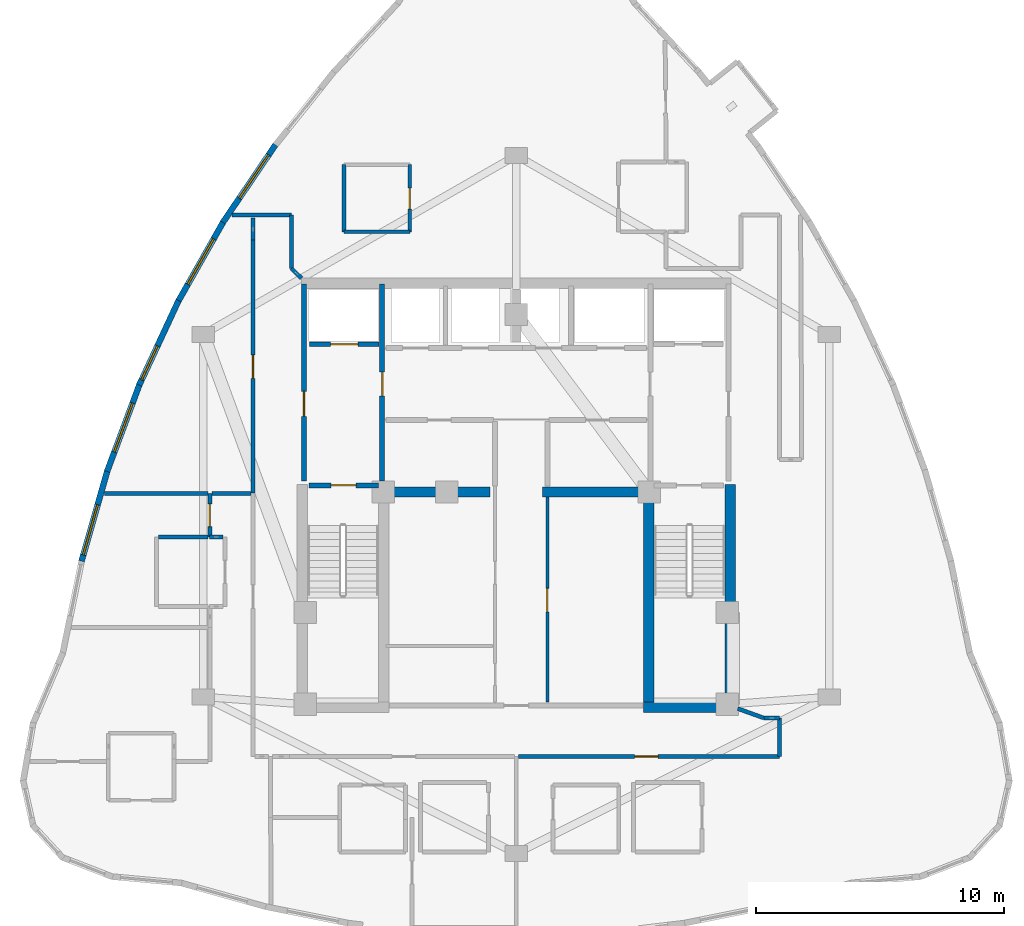
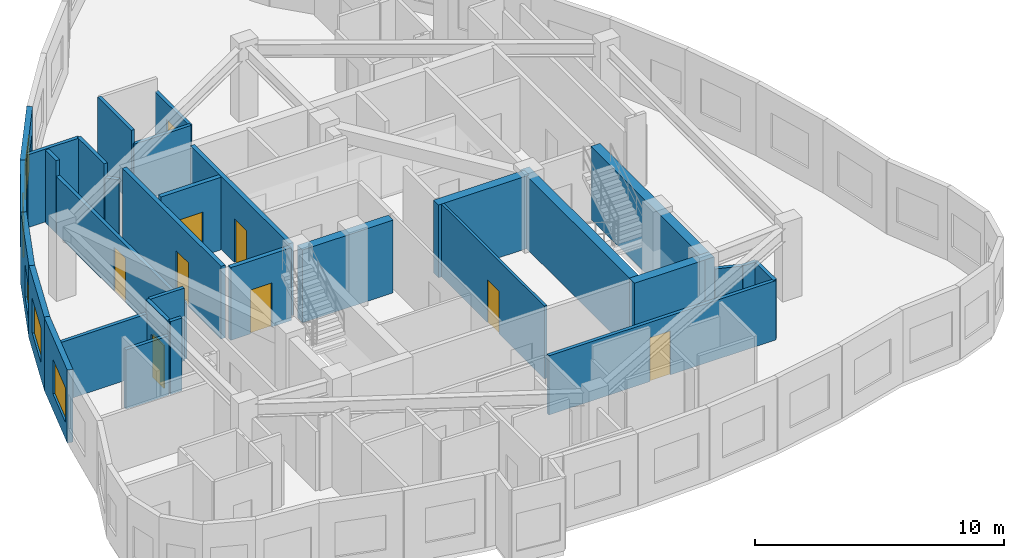
# One storey, part 9 of 13: 32 walls, 9 doors, 5 windows, 14 openings.
"""IFC4 building model written with IfcOpenShell, lengths in metres."""

from ifc_helpers import new_model, si_unit, direction, frame, frame_2d, origin, place, context, subcontext, project, spatial, rectangle, extrude, material, layer, layer_set, type_object, element, fill, save


model = new_model("IFC4")

# Units and contexts
model_context = context("Model", 3, precision=1e-05, world=origin(), true_north=direction((0.0, 1.0)))
body_context = subcontext(model_context, "Body", "Model", "MODEL_VIEW")
ifc_project = project(units=[si_unit("LENGTHUNIT", "METRE"), si_unit("AREAUNIT", "SQUARE_METRE"), si_unit("VOLUMEUNIT", "CUBIC_METRE"), si_unit("PLANEANGLEUNIT", "RADIAN"), si_unit("MASSUNIT", "GRAM", prefix="KILO")], contexts=[model_context])

# Site, building, storey
site_placement = place(None, origin())
site = spatial("IfcSite", under=ifc_project, at=site_placement, CompositionType="ELEMENT")
building_placement = place(site_placement, origin())
building = spatial("IfcBuilding", under=site, at=building_placement, Name="Miruveldt Soraemaru", CompositionType="ELEMENT")
storey_placement = place(building_placement, frame((0.0, 0.0, 252.0)))
storey = spatial("IfcBuildingStorey", under=building, at=storey_placement, Name="L69", CompositionType="ELEMENT", Elevation=252.0)

# Walls
ifc_material_1 = material(Name="Concrete C70/85 (70 MPa)", Category="concrete")
ifc_layer_1 = layer(ifc_material_1, 0.5, Name="Concrete C70/85 (70 MPa)", Category="concrete")
ifc_layer_set_1 = layer_set([ifc_layer_1], Name="Concrete C70/85 (70 MPa)")
wall_type_1 = type_object("IfcWallType", Name="WALL-BW-500", PredefinedType="SHEAR", material=ifc_layer_set_1)
for number, where, z_axis, x_axis, name in (
    (1, (38.75, 44.050048828125, 0.0), (0.0, 0.0, 1.0), (1.0, 0.0, 0.0), "L69 Core Buttress Shear Wall BW"),
    (2, (45.050048828125, 44.050048828125, 0.0), (0.0, 0.0, 1.0), (1.0, 0.0, 0.0), "L69 Core Buttress Shear Wall BE"),
):
    element("IfcWall", number, at=place(storey_placement, frame(where, z_axis=z_axis, x_axis=x_axis)), inside=storey, type_object=wall_type_1, Name=name, PredefinedType="SHEAR", context=body_context, shape_type="SweptSolid", body=[
        extrude(rectangle(XDim=4.199951171875, YDim=0.39990234375, at=frame_2d((2.10009765625, 0.0))), origin(), (0.0, 0.0, 1.0), 3.56494140625),
    ])
ifc_material_2 = material(Name="Concrete C50/60 (50 MPa)", Category="concrete")
ifc_layer_2 = layer(ifc_material_2, 0.419921875, Name="Concrete C50/60 (50 MPa)", Category="concrete")
ifc_layer_set_2 = layer_set([ifc_layer_2], Name="Concrete C50/60 (50 MPa)")
wall_type_2 = type_object("IfcWallType", Name="WALL-CW-420", PredefinedType="SHEAR", material=ifc_layer_set_2)
wall_1_placement = place(storey_placement, frame((49.1298828125, 35.389892578125, 0.0), z_axis=(0.0, 0.0, 1.0), x_axis=(1.0, 0.0, 0.0)))
element("IfcWall", 3, at=wall_1_placement, inside=storey, type_object=wall_type_2, Name="L69 Central Core Shear Wall S2", PredefinedType="SHEAR", context=body_context, shape_type="SweptSolid", body=[
    extrude(rectangle(XDim=3.690185546875, YDim=0.419921875, at=frame_2d((1.84521484375, 0.0))), origin(), (0.0, 0.0, 1.0), 3.56494140625),
])
wall_2_placement = place(storey_placement, frame((52.610107421875, 35.179931640625, 0.0), z_axis=(0.0, 0.0, 1.0), x_axis=(0.0, 1.0, 0.0)))
element("IfcWall", 4, at=wall_2_placement, inside=storey, type_object=wall_type_2, Name="L69 Central Core Shear Wall E1", PredefinedType="SHEAR", context=body_context, shape_type="SweptSolid", body=[
    extrude(rectangle(XDim=9.170166015625, YDim=0.419921875, at=frame_2d((4.5849609375, 0.0))), origin(), (0.0, 0.0, 1.0), 3.56494140625),
])
wall_3_placement = place(storey_placement, frame((49.340087890625, 35.39990234375, 0.0), z_axis=(0.0, 0.0, 1.0), x_axis=(0.0, 1.0, 0.0)))
element("IfcWall", 5, at=wall_3_placement, inside=storey, type_object=wall_type_2, Name="L69 Central Core Shear Wall SE-INT", PredefinedType="SHEAR", context=body_context, shape_type="SweptSolid", body=[
    extrude(rectangle(XDim=8.9501953125, YDim=0.419921875, at=frame_2d((4.47509765625, 0.0))), origin(), (0.0, 0.0, 1.0), 3.56494140625),
])

# Wall, opening, window
ifc_material_3 = material(Name="Precast concrete C45/55 (45 MPa)", Category="concrete")
ifc_layer_3 = layer(ifc_material_3, 0.239990234375, Name="Precast concrete C45/55 (45 MPa)", Category="concrete")
ifc_layer_set_3 = layer_set([ifc_layer_3], Name="Precast concrete C45/55 (45 MPa)")
wall_type_3 = type_object("IfcWallType", Name="WALL-EXT-PC240", PredefinedType="SOLIDWALL", material=ifc_layer_set_3)
wall_4_placement = place(storey_placement, frame((34.304931640625, 58.03369140625, 0.0), z_axis=(0.0, 0.0, 1.0), x_axis=(-0.560812433684, -0.827942881016, 0.0)))
wall_4 = element("IfcWall", 6, at=wall_4_placement, inside=storey, type_object=wall_type_3, Name="L69 Precast Concrete Facade Wall 9", PredefinedType="SOLIDWALL", context=body_context, shape_type="SweptSolid", body=[
    extrude(rectangle(XDim=3.779052734375, YDim=0.239990234375, at=frame_2d((1.8896484375, 0.0))), origin(), (0.0, 0.0, 1.0), 3.56494140625),
])
opening_1_placement = place(wall_4_placement, frame((0.49609375, 0.0, 0.800048828125)))
opening_1 = element("IfcOpeningElement", 7, at=opening_1_placement, cuts=wall_4, Name="Opening WN-1", PredefinedType="OPENING", context=body_context, shape_type="SweptSolid", body=[
    extrude(rectangle(XDim=2.10009765625, YDim=1.699951171875, at=frame_2d((1.050048828125, 0.85009765625))), frame((0.0, 0.1298828125, 0.0), z_axis=(0.0, -1.0, 0.0), x_axis=(1.0, 0.0, 0.0)), (0.0, 0.0, 1.0), 0.260009765625),
])
ifc_material_4 = material(Name="Triple low-e insulated glazing", Category="glass")
window_type_1 = type_object("IfcWindowType", Name="WIN-PUNCH-2100x1700", PartitioningType="SINGLE_PANEL", PredefinedType="WINDOW", material=ifc_material_4)
window_1_placement = place(opening_1_placement, origin())
window_1 = element("IfcWindow", 8, at=window_1_placement, inside=storey, type_object=window_type_1, Name="L69 Punched Triple-Glazed Window 09.1", OverallHeight=1.699951171875, OverallWidth=2.10009765625, PartitioningType="SINGLE_PANEL", PredefinedType="WINDOW", context=body_context, shape_type="SweptSolid", body=[
    extrude(rectangle(XDim=2.10009765625, YDim=1.699951171875, at=frame_2d((1.050048828125, 0.85009765625))), frame((0.0, 0.030029296875, 0.0), z_axis=(0.0, -1.0, 0.0), x_axis=(1.0, 0.0, 0.0)), (0.0, 0.0, 1.0), 0.06005859375),
])
fill(opening_1, window_1)

wall_5_placement = place(storey_placement, frame((32.222412109375, 54.964111328125, 0.0), z_axis=(0.0, 0.0, 1.0), x_axis=(-0.493356990669, -0.869826925174, 0.0)))
wall_5 = element("IfcWall", 9, at=wall_5_placement, inside=storey, type_object=wall_type_3, Name="L69 Precast Concrete Facade Wall 10", PredefinedType="SOLIDWALL", context=body_context, shape_type="SweptSolid", body=[
    extrude(rectangle(XDim=3.75537109375, YDim=0.239990234375, at=frame_2d((1.877685546875, 0.0))), origin(), (0.0, 0.0, 1.0), 3.56494140625),
])
opening_2_placement = place(wall_5_placement, frame((0.827880859375, 0.0, 0.800048828125)))
opening_2 = element("IfcOpeningElement", 10, at=opening_2_placement, cuts=wall_5, Name="Opening WN-1", PredefinedType="OPENING", context=body_context, shape_type="SweptSolid", body=[
    extrude(rectangle(XDim=2.10009765625, YDim=1.699951171875, at=frame_2d((1.050048828125, 0.85009765625))), frame((0.0, 0.1298828125, 0.0), z_axis=(0.0, -1.0, 0.0), x_axis=(1.0, 0.0, 0.0)), (0.0, 0.0, 1.0), 0.260009765625),
])
window_2_placement = place(opening_2_placement, origin())
window_2 = element("IfcWindow", 11, at=window_2_placement, inside=storey, type_object=window_type_1, Name="L69 Punched Triple-Glazed Window 10.1", OverallHeight=1.699951171875, OverallWidth=2.10009765625, PartitioningType="SINGLE_PANEL", PredefinedType="WINDOW", context=body_context, shape_type="SweptSolid", body=[
    extrude(rectangle(XDim=2.10009765625, YDim=1.699951171875, at=frame_2d((1.050048828125, 0.85009765625))), frame((0.0, 0.030029296875, 0.0), z_axis=(0.0, -1.0, 0.0), x_axis=(1.0, 0.0, 0.0)), (0.0, 0.0, 1.0), 0.06005859375),
])
fill(opening_2, window_2)

wall_6_placement = place(storey_placement, frame((30.401611328125, 51.759521484375, 0.0), z_axis=(0.0, 0.0, 1.0), x_axis=(-0.422287495825, -0.906461952246, 0.0)))
wall_6 = element("IfcWall", 12, at=wall_6_placement, inside=storey, type_object=wall_type_3, Name="L69 Precast Concrete Facade Wall 11", PredefinedType="SOLIDWALL", context=body_context, shape_type="SweptSolid", body=[
    extrude(rectangle(XDim=3.755615234375, YDim=0.239990234375, at=frame_2d((1.8779296875, 0.0))), origin(), (0.0, 0.0, 1.0), 3.56494140625),
])
opening_3_placement = place(wall_6_placement, frame((2.01806640625, 0.0, 0.800048828125)))
opening_3 = element("IfcOpeningElement", 13, at=opening_3_placement, cuts=wall_6, Name="Opening WN-3", PredefinedType="OPENING", context=body_context, shape_type="SweptSolid", body=[
    extrude(rectangle(XDim=1.5, YDim=1.60009765625, at=frame_2d((0.75, 0.800048828125))), frame((0.0, 0.1298828125, 0.0), z_axis=(0.0, -1.0, 0.0), x_axis=(1.0, 0.0, 0.0)), (0.0, 0.0, 1.0), 0.260009765625),
])
window_type_2 = type_object("IfcWindowType", Name="WIN-PUNCH-1500x1600", PartitioningType="SINGLE_PANEL", PredefinedType="WINDOW", material=ifc_material_4)
window_3_placement = place(opening_3_placement, origin())
window_3 = element("IfcWindow", 14, at=window_3_placement, inside=storey, type_object=window_type_2, Name="L69 Punched Triple-Glazed Window 11.1", OverallHeight=1.60009765625, OverallWidth=1.5, PartitioningType="SINGLE_PANEL", PredefinedType="WINDOW", context=body_context, shape_type="SweptSolid", body=[
    extrude(rectangle(XDim=1.5, YDim=1.60009765625, at=frame_2d((0.75, 0.800048828125))), frame((0.0, 0.030029296875, 0.0), z_axis=(0.0, -1.0, 0.0), x_axis=(1.0, 0.0, 0.0)), (0.0, 0.0, 1.0), 0.06005859375),
])
fill(opening_3, window_3)

wall_7_placement = place(storey_placement, frame((28.842529296875, 48.419921875, 0.0), z_axis=(0.0, 0.0, 1.0), x_axis=(-0.348984438281, -0.937128519381, 0.0)))
wall_7 = element("IfcWall", 15, at=wall_7_placement, inside=storey, type_object=wall_type_3, Name="L69 Precast Concrete Facade Wall 12", PredefinedType="SOLIDWALL", context=body_context, shape_type="SweptSolid", body=[
    extrude(rectangle(XDim=3.779052734375, YDim=0.239990234375, at=frame_2d((1.8896484375, 0.0))), origin(), (0.0, 0.0, 1.0), 3.56494140625),
])
opening_4_placement = place(wall_7_placement, frame((0.840087890625, 0.0, 0.800048828125)))
opening_4 = element("IfcOpeningElement", 16, at=opening_4_placement, cuts=wall_7, Name="Opening WN-1", PredefinedType="OPENING", context=body_context, shape_type="SweptSolid", body=[
    extrude(rectangle(XDim=2.10009765625, YDim=1.699951171875, at=frame_2d((1.050048828125, 0.85009765625))), frame((0.0, 0.1298828125, 0.0), z_axis=(0.0, -1.0, 0.0), x_axis=(1.0, 0.0, 0.0)), (0.0, 0.0, 1.0), 0.260009765625),
])
window_4_placement = place(opening_4_placement, origin())
window_4 = element("IfcWindow", 17, at=window_4_placement, inside=storey, type_object=window_type_1, Name="L69 Punched Triple-Glazed Window 12.1", OverallHeight=1.699951171875, OverallWidth=2.10009765625, PartitioningType="SINGLE_PANEL", PredefinedType="WINDOW", context=body_context, shape_type="SweptSolid", body=[
    extrude(rectangle(XDim=2.10009765625, YDim=1.699951171875, at=frame_2d((1.050048828125, 0.85009765625))), frame((0.0, 0.030029296875, 0.0), z_axis=(0.0, -1.0, 0.0), x_axis=(1.0, 0.0, 0.0)), (0.0, 0.0, 1.0), 0.06005859375),
])
fill(opening_4, window_4)

wall_8_placement = place(storey_placement, frame((27.54541015625, 44.94482421875, 0.0), z_axis=(0.0, 0.0, 1.0), x_axis=(-0.274982401426, -0.961449259663, 0.0)))
wall_8 = element("IfcWall", 18, at=wall_8_placement, inside=storey, type_object=wall_type_3, Name="L69 Precast Concrete Facade Wall 13", PredefinedType="SOLIDWALL", context=body_context, shape_type="SweptSolid", body=[
    extrude(rectangle(XDim=3.82568359375, YDim=0.239990234375, at=frame_2d((1.912841796875, 0.0))), origin(), (0.0, 0.0, 1.0), 3.56494140625),
])
opening_5_placement = place(wall_8_placement, frame((1.462890625, 0.0, 0.800048828125)))
opening_5 = element("IfcOpeningElement", 19, at=opening_5_placement, cuts=wall_8, Name="Opening WN-1", PredefinedType="OPENING", context=body_context, shape_type="SweptSolid", body=[
    extrude(rectangle(XDim=2.10009765625, YDim=1.699951171875, at=frame_2d((1.050048828125, 0.85009765625))), frame((0.0, 0.1298828125, 0.0), z_axis=(0.0, -1.0, 0.0), x_axis=(1.0, 0.0, 0.0)), (0.0, 0.0, 1.0), 0.260009765625),
])
window_5_placement = place(opening_5_placement, origin())
window_5 = element("IfcWindow", 20, at=window_5_placement, inside=storey, type_object=window_type_1, Name="L69 Punched Triple-Glazed Window 13.1", OverallHeight=1.699951171875, OverallWidth=2.10009765625, PartitioningType="SINGLE_PANEL", PredefinedType="WINDOW", context=body_context, shape_type="SweptSolid", body=[
    extrude(rectangle(XDim=2.10009765625, YDim=1.699951171875, at=frame_2d((1.050048828125, 0.85009765625))), frame((0.0, 0.030029296875, 0.0), z_axis=(0.0, -1.0, 0.0), x_axis=(1.0, 0.0, 0.0)), (0.0, 0.0, 1.0), 0.06005859375),
])
fill(opening_5, window_5)

# Wall, opening, door
ifc_material_5 = material(Name="Gypsum plasterboard lining", Category="gypsum")
ifc_layer_4 = layer(ifc_material_5, 0.1201171875, Name="Gypsum plasterboard lining", Category="gypsum")
ifc_layer_set_4 = layer_set([ifc_layer_4], Name="Gypsum plasterboard lining")
wall_type_4 = type_object("IfcWallType", Name="WALL-INT-P120", PredefinedType="PARTITIONING", material=ifc_layer_set_4)
wall_9_placement = place(storey_placement, frame((45.25, 35.60009765625, 0.0), z_axis=(0.0, 0.0, 1.0), x_axis=(0.0, 1.0, 0.0)))
wall_9 = element("IfcWall", 21, at=wall_9_placement, inside=storey, type_object=wall_type_4, Name="L69 Core Compartment Wall SP-EL", PredefinedType="PARTITIONING", context=body_context, shape_type="SweptSolid", body=[
    extrude(rectangle(XDim=8.25, YDim=0.1201171875, at=frame_2d((4.125, 0.0))), origin(), (0.0, 0.0, 1.0), 3.56494140625),
])
opening_6_placement = place(wall_9_placement, frame((3.625, 0.0, 0.0)))
opening_6 = element("IfcOpeningElement", 22, at=opening_6_placement, cuts=wall_9, Name="Opening D2", PredefinedType="OPENING", context=body_context, shape_type="SweptSolid", body=[
    extrude(rectangle(XDim=0.949951171875, YDim=2.10009765625, at=frame_2d((0.47509765625, 1.050048828125))), frame((0.0, 0.070068359375, 0.0), z_axis=(0.0, -1.0, 0.0), x_axis=(1.0, 0.0, 0.0)), (0.0, 0.0, 1.0), 0.14013671875),
])
ifc_material_6 = material(Name="Anodised aluminium EN AW-6063 T6", Category="aluminium")
door_type_1 = type_object("IfcDoorType", Name="DOOR-INT-950", OperationType="NOTDEFINED", PredefinedType="DOOR", material=ifc_material_6)
door_1_placement = place(opening_6_placement, origin())
door_1 = element("IfcDoor", 23, at=door_1_placement, inside=storey, type_object=door_type_1, Name="L69 Fire Door", OperationType="SINGLE_SWING_LEFT", OverallHeight=2.10009765625, OverallWidth=0.949951171875, PredefinedType="DOOR", context=body_context, shape_type="SweptSolid", body=[
    extrude(rectangle(XDim=0.949951171875, YDim=2.10009765625, at=frame_2d((0.47509765625, 1.050048828125))), frame((0.0, 0.02490234375, 0.0), z_axis=(0.0, -1.0, 0.0), x_axis=(1.0, 0.0, 0.0)), (0.0, 0.0, 1.0), 0.050048828125),
])
fill(opening_6, door_1)

ifc_layer_5 = layer(ifc_material_5, 0.14990234375, Name="Gypsum plasterboard lining", Category="gypsum")
ifc_layer_set_5 = layer_set([ifc_layer_5], Name="Gypsum plasterboard lining")
wall_type_5 = type_object("IfcWallType", Name="WALL-INT-PLUMB", PredefinedType="PLUMBINGWALL", material=ifc_layer_set_5)
wall_10_placement = place(storey_placement, frame((39.716064453125, 54.530029296875, 0.0), z_axis=(0.0, 0.0, 1.0), x_axis=(0.0, 1.0, 0.0)))
wall_10 = element("IfcWall", 24, at=wall_10_placement, inside=storey, type_object=wall_type_5, Name="L69 Partition Wall 13", PredefinedType="PLUMBINGWALL", context=body_context, shape_type="SweptSolid", body=[
    extrude(rectangle(XDim=2.699951171875, YDim=0.14990234375, at=frame_2d((1.35009765625, 0.0))), origin(), (0.0, 0.0, 1.0), 2.903076171875),
])
opening_7_placement = place(wall_10_placement, frame((0.909912109375, 0.0, 0.0)))
opening_7 = element("IfcOpeningElement", 25, at=opening_7_placement, cuts=wall_10, Name="Opening FD3", PredefinedType="OPENING", context=body_context, shape_type="SweptSolid", body=[
    extrude(rectangle(XDim=0.85009765625, YDim=2.10009765625, at=frame_2d((0.425048828125, 1.050048828125))), frame((0.0, 0.0849609375, 0.0), z_axis=(0.0, -1.0, 0.0), x_axis=(1.0, 0.0, 0.0)), (0.0, 0.0, 1.0), 0.169921875),
])
door_type_2 = type_object("IfcDoorType", Name="DOOR-FD3-850", OperationType="NOTDEFINED", PredefinedType="DOOR", material=ifc_material_6)
door_2_placement = place(opening_7_placement, origin())
door_2 = element("IfcDoor", 26, at=door_2_placement, inside=storey, type_object=door_type_2, Name="L69 Unit 6901 BTH Door", OperationType="SINGLE_SWING_RIGHT", OverallHeight=2.10009765625, OverallWidth=0.85009765625, PredefinedType="DOOR", context=body_context, shape_type="SweptSolid", body=[
    extrude(rectangle(XDim=0.85009765625, YDim=2.10009765625, at=frame_2d((0.425048828125, 1.050048828125))), frame((0.0, 0.02490234375, 0.0), z_axis=(0.0, -1.0, 0.0), x_axis=(1.0, 0.0, 0.0)), (0.0, 0.0, 1.0), 0.050048828125),
])
fill(opening_7, door_2)

# Walls
wall_11_placement = place(storey_placement, frame((37.06591796875, 57.22998046875, 0.0), z_axis=(0.0, 0.0, 1.0), x_axis=(0.0, -1.0, 0.0)))
element("IfcWall", 27, at=wall_11_placement, inside=storey, type_object=wall_type_5, Name="L69 Partition Wall 15", PredefinedType="PLUMBINGWALL", context=body_context, shape_type="SweptSolid", body=[
    extrude(rectangle(XDim=2.699951171875, YDim=0.14990234375, at=frame_2d((1.35009765625, 0.0))), origin(), (0.0, 0.0, 1.0), 3.56494140625),
])
wall_12_placement = place(storey_placement, frame((37.06591796875, 54.530029296875, 0.0), z_axis=(0.0, 0.0, 1.0), x_axis=(1.0, 0.0, 0.0)))
element("IfcWall", 28, at=wall_12_placement, inside=storey, type_object=wall_type_5, Name="L69 Partition Wall 16", PredefinedType="PLUMBINGWALL", context=body_context, shape_type="SweptSolid", body=[
    extrude(rectangle(XDim=2.650146484375, YDim=0.14990234375, at=frame_2d((1.3251953125, 0.0))), origin(), (0.0, 0.0, 1.0), 2.903076171875),
])

# Wall, opening, door
ifc_material_7 = material(Name="Concrete C40/50 (40 MPa)", Category="concrete")
ifc_layer_6 = layer(ifc_material_7, 0.159912109375, Name="Concrete C40/50 (40 MPa)", Category="concrete")
ifc_layer_set_6 = layer_set([ifc_layer_6], Name="Concrete C40/50 (40 MPa)")
wall_type_6 = type_object("IfcWallType", Name="WALL-INT-RC160", PredefinedType="SOLIDWALL", material=ifc_layer_set_6)
wall_13_placement = place(storey_placement, frame((44.0869140625, 33.39990234375, 0.0), z_axis=(0.0, 0.0, 1.0), x_axis=(1.0, 0.0, 0.0)))
wall_13 = element("IfcWall", 29, at=wall_13_placement, inside=storey, type_object=wall_type_6, Name="L69 Partition Wall 10", PredefinedType="SOLIDWALL", context=body_context, shape_type="SweptSolid", body=[
    extrude(rectangle(XDim=10.51318359375, YDim=0.159912109375, at=frame_2d((5.256591796875, 0.0))), origin(), (0.0, 0.0, 1.0), 2.903076171875),
])
opening_8_placement = place(wall_13_placement, frame((4.677978515625, 0.0, 0.0)))
opening_8 = element("IfcOpeningElement", 30, at=opening_8_placement, cuts=wall_13, Name="Opening FD2", PredefinedType="OPENING", context=body_context, shape_type="SweptSolid", body=[
    extrude(rectangle(XDim=0.949951171875, YDim=2.14990234375, at=frame_2d((0.47509765625, 1.074951171875))), frame((0.0, 0.08984375, 0.0), z_axis=(0.0, -1.0, 0.0), x_axis=(1.0, 0.0, 0.0)), (0.0, 0.0, 1.0), 0.179931640625),
])
door_type_3 = type_object("IfcDoorType", Name="DOOR-FD2-950", OperationType="NOTDEFINED", PredefinedType="DOOR", material=ifc_material_6)
door_3_placement = place(opening_8_placement, origin())
door_3 = element("IfcDoor", 31, at=door_3_placement, inside=storey, type_object=door_type_3, Name="L69 Unit 6904 Entrance Fire Door", OperationType="SINGLE_SWING_RIGHT", OverallHeight=2.14990234375, OverallWidth=0.949951171875, PredefinedType="DOOR", context=body_context, shape_type="SweptSolid", body=[
    extrude(rectangle(XDim=0.949951171875, YDim=2.14990234375, at=frame_2d((0.47509765625, 1.074951171875))), frame((0.0, 0.02490234375, 0.0), z_axis=(0.0, -1.0, 0.0), x_axis=(1.0, 0.0, 0.0)), (0.0, 0.0, 1.0), 0.050048828125),
])
fill(opening_8, door_3)

wall_14_placement = place(storey_placement, frame((33.39990234375, 54.199951171875, 0.0), z_axis=(0.0, 0.0, 1.0), x_axis=(0.0, -1.0, 0.0)))
wall_14 = element("IfcWall", 32, at=wall_14_placement, inside=storey, type_object=wall_type_6, Name="L69 Partition Wall 4", PredefinedType="SOLIDWALL", context=body_context, shape_type="SweptSolid", body=[
    extrude(rectangle(XDim=10.195068359375, YDim=0.159912109375, at=frame_2d((5.09765625, 0.0))), origin(), (0.0, 0.0, 1.0), 2.802978515625),
])
opening_9_placement = place(wall_14_placement, frame((4.623046875, 0.0, 0.0)))
opening_9 = element("IfcOpeningElement", 33, at=opening_9_placement, cuts=wall_14, Name="Opening FD2", PredefinedType="OPENING", context=body_context, shape_type="SweptSolid", body=[
    extrude(rectangle(XDim=0.949951171875, YDim=2.14990234375, at=frame_2d((0.47509765625, 1.074951171875))), frame((0.0, 0.08984375, 0.0), z_axis=(0.0, -1.0, 0.0), x_axis=(1.0, 0.0, 0.0)), (0.0, 0.0, 1.0), 0.179931640625),
])
door_4_placement = place(opening_9_placement, origin())
door_4 = element("IfcDoor", 34, at=door_4_placement, inside=storey, type_object=door_type_3, Name="L69 Unit 6901 Entrance Fire Door", OperationType="SINGLE_SWING_LEFT", OverallHeight=2.14990234375, OverallWidth=0.949951171875, PredefinedType="DOOR", context=body_context, shape_type="SweptSolid", body=[
    extrude(rectangle(XDim=0.949951171875, YDim=2.14990234375, at=frame_2d((0.47509765625, 1.074951171875))), frame((0.0, 0.02490234375, 0.0), z_axis=(0.0, -1.0, 0.0), x_axis=(1.0, 0.0, 0.0)), (0.0, 0.0, 1.0), 0.050048828125),
])
fill(opening_9, door_4)

wall_15_placement = place(storey_placement, frame((31.662109375, 44.0, 0.0), z_axis=(0.0, 0.0, 1.0), x_axis=(0.0, -1.0, 0.0)))
wall_15 = element("IfcWall", 35, at=wall_15_placement, inside=storey, type_object=wall_type_6, Name="L69 Partition Wall 36", PredefinedType="SOLIDWALL", context=body_context, shape_type="SweptSolid", body=[
    extrude(rectangle(XDim=1.764892578125, YDim=0.159912109375, at=frame_2d((0.88232421875, 0.0))), origin(), (0.0, 0.0, 1.0), 3.56494140625),
])
opening_10_placement = place(wall_15_placement, frame((0.423095703125, 0.0, 0.0)))
opening_10 = element("IfcOpeningElement", 36, at=opening_10_placement, cuts=wall_15, Name="Opening D3A", PredefinedType="OPENING", context=body_context, shape_type="SweptSolid", body=[
    extrude(rectangle(XDim=0.919921875, YDim=2.10009765625, at=frame_2d((0.4599609375, 1.050048828125))), frame((0.0, 0.08984375, 0.0), z_axis=(0.0, -1.0, 0.0), x_axis=(1.0, 0.0, 0.0)), (0.0, 0.0, 1.0), 0.179931640625),
])
door_type_4 = type_object("IfcDoorType", Name="DOOR-INT-920", OperationType="NOTDEFINED", PredefinedType="DOOR", material=ifc_material_6)
door_5_placement = place(opening_10_placement, origin())
door_5 = element("IfcDoor", 37, at=door_5_placement, inside=storey, type_object=door_type_4, Name="L69 Unit 6902 EXT Door", OperationType="SINGLE_SWING_LEFT", OverallHeight=2.10009765625, OverallWidth=0.919921875, PredefinedType="DOOR", context=body_context, shape_type="SweptSolid", body=[
    extrude(rectangle(XDim=0.919921875, YDim=2.10009765625, at=frame_2d((0.4599609375, 1.050048828125))), frame((0.0, 0.02490234375, 0.0), z_axis=(0.0, -1.0, 0.0), x_axis=(1.0, 0.0, 0.0)), (0.0, 0.0, 1.0), 0.050048828125),
])
fill(opening_10, door_5)

# Walls
wall_16_placement = place(storey_placement, frame((27.410888671875, 43.985107421875, 0.0), z_axis=(0.0, 0.0, 1.0), x_axis=(0.999993626242, 0.00357036062, 0.0)))
element("IfcWall", 38, at=wall_16_placement, inside=storey, type_object=wall_type_6, Name="L69 Partition Wall 23", PredefinedType="SOLIDWALL", context=body_context, shape_type="SweptSolid", body=[
    extrude(rectangle(XDim=4.171142578125, YDim=0.159912109375, at=frame_2d((2.08544921875, 0.0))), origin(), (0.0, 0.0, 1.0), 2.903076171875),
])
wall_17_placement = place(storey_placement, frame((34.949951171875, 55.199951171875, 0.0), z_axis=(0.0, 0.0, 1.0), x_axis=(-1.0, 0.0, 0.0)))
element("IfcWall", 39, at=wall_17_placement, inside=storey, type_object=wall_type_6, Name="L69 Partition Wall 2", PredefinedType="SOLIDWALL", context=body_context, shape_type="SweptSolid", body=[
    extrude(rectangle(XDim=2.40087890625, YDim=0.159912109375, at=frame_2d((1.200439453125, 0.0))), origin(), (0.0, 0.0, 1.0), 3.56494140625),
])
wall_18_placement = place(storey_placement, frame((34.949951171875, 53.055908203125, 0.0), z_axis=(0.0, 0.0, 1.0), x_axis=(0.0, 1.0, 0.0)))
element("IfcWall", 40, at=wall_18_placement, inside=storey, type_object=wall_type_6, Name="L69 Partition Wall 1", PredefinedType="SOLIDWALL", context=body_context, shape_type="SweptSolid", body=[
    extrude(rectangle(XDim=2.14404296875, YDim=0.159912109375, at=frame_2d((1.072021484375, 0.0))), origin(), (0.0, 0.0, 1.0), 3.56494140625),
])
wall_19_placement = place(storey_placement, frame((31.58203125, 42.235107421875, 0.0), z_axis=(0.0, 0.0, 1.0), x_axis=(-1.0, 0.0, 0.0)))
element("IfcWall", 41, at=wall_19_placement, inside=storey, type_object=wall_type_6, Name="L69 Partition Wall 43", PredefinedType="SOLIDWALL", context=body_context, shape_type="SweptSolid", body=[
    extrude(rectangle(XDim=1.97900390625, YDim=0.159912109375, at=frame_2d((0.989501953125, 0.0))), origin(), (0.0, 0.0, 1.0), 2.903076171875),
])
wall_20_placement = place(storey_placement, frame((31.741943359375, 44.0, 0.0), z_axis=(0.0, 0.0, 1.0), x_axis=(1.0, 0.0, 0.0)))
element("IfcWall", 42, at=wall_20_placement, inside=storey, type_object=wall_type_6, Name="L69 Partition Wall 22", PredefinedType="SOLIDWALL", context=body_context, shape_type="SweptSolid", body=[
    extrude(rectangle(XDim=1.578125, YDim=0.159912109375, at=frame_2d((0.7890625, 0.0))), origin(), (0.0, 0.0, 1.0), 3.56494140625),
])
wall_21_placement = place(storey_placement, frame((54.60009765625, 33.39990234375, 0.0), z_axis=(0.0, 0.0, 1.0), x_axis=(0.0, 1.0, 0.0)))
element("IfcWall", 43, at=wall_21_placement, inside=storey, type_object=wall_type_6, Name="L69 Partition Wall 11", PredefinedType="SOLIDWALL", context=body_context, shape_type="SweptSolid", body=[
    extrude(rectangle(XDim=1.550048828125, YDim=0.159912109375, at=frame_2d((0.77490234375, 0.0))), origin(), (0.0, 0.0, 1.0), 2.903076171875),
])
wall_22_placement = place(storey_placement, frame((53.97509765625, 34.949951171875, 0.0), z_axis=(0.0, 0.0, 1.0), x_axis=(-0.941555164115, 0.336858832344, 0.0)))
element("IfcWall", 44, at=wall_22_placement, inside=storey, type_object=wall_type_6, Name="L69 Partition Closure Return 3", PredefinedType="SOLIDWALL", context=body_context, shape_type="SweptSolid", body=[
    extrude(rectangle(XDim=1.124755859375, YDim=0.159912109375, at=frame_2d((0.5625, 0.0))), origin(), (0.0, 0.0, 1.0), 2.903076171875),
])
wall_23_placement = place(storey_placement, frame((33.39990234375, 55.076904296875, 0.0), z_axis=(0.0, 0.0, 1.0), x_axis=(0.0, -1.0, 0.0)))
element("IfcWall", 45, at=wall_23_placement, inside=storey, type_object=wall_type_6, Name="L69 Partition Wall 3", PredefinedType="SOLIDWALL", context=body_context, shape_type="SweptSolid", body=[
    extrude(rectangle(XDim=0.8740234375, YDim=0.159912109375, at=frame_2d((0.43701171875, 0.0))), origin(), (0.0, 0.0, 1.0), 3.56494140625),
])
wall_24_placement = place(storey_placement, frame((54.60009765625, 34.949951171875, 0.0), z_axis=(0.0, 0.0, 1.0), x_axis=(-1.0, 0.0, 0.0)))
element("IfcWall", 46, at=wall_24_placement, inside=storey, type_object=wall_type_6, Name="L69 Partition Wall 12", PredefinedType="SOLIDWALL", context=body_context, shape_type="SweptSolid", body=[
    extrude(rectangle(XDim=0.625, YDim=0.159912109375, at=frame_2d((0.3125, 0.0))), origin(), (0.0, 0.0, 1.0), 2.903076171875),
])
wall_25_placement = place(storey_placement, frame((34.949951171875, 53.055908203125, 0.0), z_axis=(0.0, 0.0, 1.0), x_axis=(0.710783358793, -0.703410987164, 0.0)))
element("IfcWall", 47, at=wall_25_placement, inside=storey, type_object=wall_type_6, Name="L69 Partition Closure Return 2", PredefinedType="SOLIDWALL", context=body_context, shape_type="SweptSolid", body=[
    extrude(rectangle(XDim=0.56298828125, YDim=0.159912109375, at=frame_2d((0.281494140625, 0.0))), origin(), (0.0, 0.0, 1.0), 2.903076171875),
])
wall_26_placement = place(storey_placement, frame((32.193115234375, 42.235107421875, 0.0), z_axis=(0.0, 0.0, 1.0), x_axis=(-1.0, 0.0, 0.0)))
element("IfcWall", 48, at=wall_26_placement, inside=storey, type_object=wall_type_6, Name="L69 Partition Wall 31", PredefinedType="SOLIDWALL", context=body_context, shape_type="SweptSolid", body=[
    extrude(rectangle(XDim=0.541015625, YDim=0.159912109375, at=frame_2d((0.2705078125, 0.0))), origin(), (0.0, 0.0, 1.0), 3.56494140625),
])

# Wall, opening, door
ifc_layer_7 = layer(ifc_material_7, 0.199951171875, Name="Concrete C40/50 (40 MPa)", Category="concrete")
ifc_layer_set_7 = layer_set([ifc_layer_7], Name="Concrete C40/50 (40 MPa)")
wall_type_7 = type_object("IfcWallType", Name="WALL-INT-RC200", PredefinedType="SOLIDWALL", material=ifc_layer_set_7)
wall_27_placement = place(storey_placement, frame((35.449951171875, 44.5, 0.0), z_axis=(0.0, 0.0, 1.0), x_axis=(0.0, 1.0, 0.0)))
wall_27 = element("IfcWall", 49, at=wall_27_placement, inside=storey, type_object=wall_type_7, Name="L69 Core Compartment Wall FFW-OUT", PredefinedType="SOLIDWALL", context=body_context, shape_type="SweptSolid", body=[
    extrude(rectangle(XDim=7.919921875, YDim=0.199951171875, at=frame_2d((3.9599609375, 0.0))), origin(), (0.0, 0.0, 1.0), 3.56494140625),
])
opening_11_placement = place(wall_27_placement, frame((2.60009765625, 0.0, 0.0)))
opening_11 = element("IfcOpeningElement", 50, at=opening_11_placement, cuts=wall_27, Name="Opening FD1", PredefinedType="OPENING", context=body_context, shape_type="SweptSolid", body=[
    extrude(rectangle(XDim=1.0, YDim=2.14990234375, at=frame_2d((0.5, 1.074951171875))), frame((0.0, 0.10986328125, 0.0), z_axis=(0.0, -1.0, 0.0), x_axis=(1.0, 0.0, 0.0)), (0.0, 0.0, 1.0), 0.219970703125),
])
door_type_5 = type_object("IfcDoorType", Name="DOOR-FD1-1000", OperationType="NOTDEFINED", PredefinedType="DOOR", material=ifc_material_6)
door_6_placement = place(opening_11_placement, origin())
door_6 = element("IfcDoor", 51, at=door_6_placement, inside=storey, type_object=door_type_5, Name="L69 West Firefighting Lobby Exit Door", OperationType="SINGLE_SWING_LEFT", OverallHeight=2.14990234375, OverallWidth=1.0, PredefinedType="DOOR", context=body_context, shape_type="SweptSolid", body=[
    extrude(rectangle(XDim=1.0, YDim=2.14990234375, at=frame_2d((0.5, 1.074951171875))), frame((0.0, 0.02490234375, 0.0), z_axis=(0.0, -1.0, 0.0), x_axis=(1.0, 0.0, 0.0)), (0.0, 0.0, 1.0), 0.050048828125),
])
fill(opening_11, door_6)

wall_28_placement = place(storey_placement, frame((38.60009765625, 44.5, 0.0), z_axis=(0.0, 0.0, 1.0), x_axis=(0.0, 1.0, 0.0)))
wall_28 = element("IfcWall", 52, at=wall_28_placement, inside=storey, type_object=wall_type_7, Name="L69 Core Compartment Wall FFW-IN", PredefinedType="SOLIDWALL", context=body_context, shape_type="SweptSolid", body=[
    extrude(rectangle(XDim=7.919921875, YDim=0.199951171875, at=frame_2d((3.9599609375, 0.0))), origin(), (0.0, 0.0, 1.0), 3.56494140625),
])
opening_12_placement = place(wall_28_placement, frame((3.425048828125, 0.0, 0.0)))
opening_12 = element("IfcOpeningElement", 53, at=opening_12_placement, cuts=wall_28, Name="Opening FD2", PredefinedType="OPENING", context=body_context, shape_type="SweptSolid", body=[
    extrude(rectangle(XDim=0.949951171875, YDim=2.14990234375, at=frame_2d((0.47509765625, 1.074951171875))), frame((0.0, 0.10986328125, 0.0), z_axis=(0.0, -1.0, 0.0), x_axis=(1.0, 0.0, 0.0)), (0.0, 0.0, 1.0), 0.219970703125),
])
door_7_placement = place(opening_12_placement, frame((0.949951171875, 0.0, 0.0), z_axis=(0.0, 0.0, 1.0), x_axis=(-1.0, 0.0, 0.0)))
door_7 = element("IfcDoor", 54, at=door_7_placement, inside=storey, type_object=door_type_3, Name="L69 Lift Lobby to West Fire Lobby Door", OperationType="SINGLE_SWING_RIGHT", OverallHeight=2.14990234375, OverallWidth=0.949951171875, PredefinedType="DOOR", context=body_context, shape_type="SweptSolid", body=[
    extrude(rectangle(XDim=0.949951171875, YDim=2.14990234375, at=frame_2d((0.47509765625, 1.074951171875))), frame((0.0, 0.02490234375, 0.0), z_axis=(0.0, -1.0, 0.0), x_axis=(1.0, 0.0, 0.0)), (0.0, 0.0, 1.0), 0.050048828125),
])
fill(opening_12, door_7)

wall_29_placement = place(storey_placement, frame((35.64990234375, 44.320068359375, 0.0), z_axis=(0.0, 0.0, 1.0), x_axis=(1.0, 0.0, 0.0)))
wall_29 = element("IfcWall", 55, at=wall_29_placement, inside=storey, type_object=wall_type_7, Name="L69 Core Compartment Wall ST1-N", PredefinedType="SOLIDWALL", context=body_context, shape_type="SweptSolid", body=[
    extrude(rectangle(XDim=2.800048828125, YDim=0.199951171875, at=frame_2d((1.39990234375, 0.0))), origin(), (0.0, 0.0, 1.0), 3.56494140625),
])
opening_13_placement = place(wall_29_placement, frame((0.89990234375, 0.0, 0.0)))
opening_13 = element("IfcOpeningElement", 56, at=opening_13_placement, cuts=wall_29, Name="Opening FD1", PredefinedType="OPENING", context=body_context, shape_type="SweptSolid", body=[
    extrude(rectangle(XDim=1.0, YDim=2.14990234375, at=frame_2d((0.5, 1.074951171875))), frame((0.0, 0.10986328125, 0.0), z_axis=(0.0, -1.0, 0.0), x_axis=(1.0, 0.0, 0.0)), (0.0, 0.0, 1.0), 0.219970703125),
])
door_8_placement = place(opening_13_placement, frame((1.0, 0.0, 0.0), z_axis=(0.0, 0.0, 1.0), x_axis=(-1.0, 0.0, 0.0)))
door_8 = element("IfcDoor", 57, at=door_8_placement, inside=storey, type_object=door_type_5, Name="L69 Stair ST-1 Fire Door", OperationType="SINGLE_SWING_LEFT", OverallHeight=2.14990234375, OverallWidth=1.0, PredefinedType="DOOR", context=body_context, shape_type="SweptSolid", body=[
    extrude(rectangle(XDim=1.0, YDim=2.14990234375, at=frame_2d((0.5, 1.074951171875))), frame((0.0, 0.02490234375, 0.0), z_axis=(0.0, -1.0, 0.0), x_axis=(1.0, 0.0, 0.0)), (0.0, 0.0, 1.0), 0.050048828125),
])
fill(opening_13, door_8)

wall_30_placement = place(storey_placement, frame((35.679931640625, 50.0, 0.0), z_axis=(0.0, 0.0, 1.0), x_axis=(1.0, 0.0, 0.0)))
wall_30 = element("IfcWall", 58, at=wall_30_placement, inside=storey, type_object=wall_type_7, Name="L69 Core Compartment Wall FFL1-S", PredefinedType="SOLIDWALL", context=body_context, shape_type="SweptSolid", body=[
    extrude(rectangle(XDim=2.800048828125, YDim=0.199951171875, at=frame_2d((1.39990234375, 0.0))), origin(), (0.0, 0.0, 1.0), 3.56494140625),
])
opening_14_placement = place(wall_30_placement, frame((0.85009765625, 0.0, 0.0)))
opening_14 = element("IfcOpeningElement", 59, at=opening_14_placement, cuts=wall_30, Name="Opening LD2", PredefinedType="OPENING", context=body_context, shape_type="SweptSolid", body=[
    extrude(rectangle(XDim=1.10009765625, YDim=2.14990234375, at=frame_2d((0.550048828125, 1.074951171875))), frame((0.0, 0.10986328125, 0.0), z_axis=(0.0, -1.0, 0.0), x_axis=(1.0, 0.0, 0.0)), (0.0, 0.0, 1.0), 0.219970703125),
])
door_type_6 = type_object("IfcDoorType", Name="DOOR-LD2-1100", OperationType="SLIDING_TO_LEFT", PredefinedType="DOOR", material=ifc_material_6)
door_9_placement = place(opening_14_placement, origin())
door_9 = element("IfcDoor", 60, at=door_9_placement, inside=storey, type_object=door_type_6, Name="L69 FFL-1 Landing Door", OperationType="SLIDING_TO_LEFT", OverallHeight=2.14990234375, OverallWidth=1.10009765625, PredefinedType="DOOR", context=body_context, shape_type="SweptSolid", body=[
    extrude(rectangle(XDim=1.10009765625, YDim=2.14990234375, at=frame_2d((0.550048828125, 1.074951171875))), frame((0.0, 0.02490234375, 0.0), z_axis=(0.0, -1.0, 0.0), x_axis=(1.0, 0.0, 0.0)), (0.0, 0.0, 1.0), 0.050048828125),
])
fill(opening_14, door_9)

save(model, "model.ifc")
